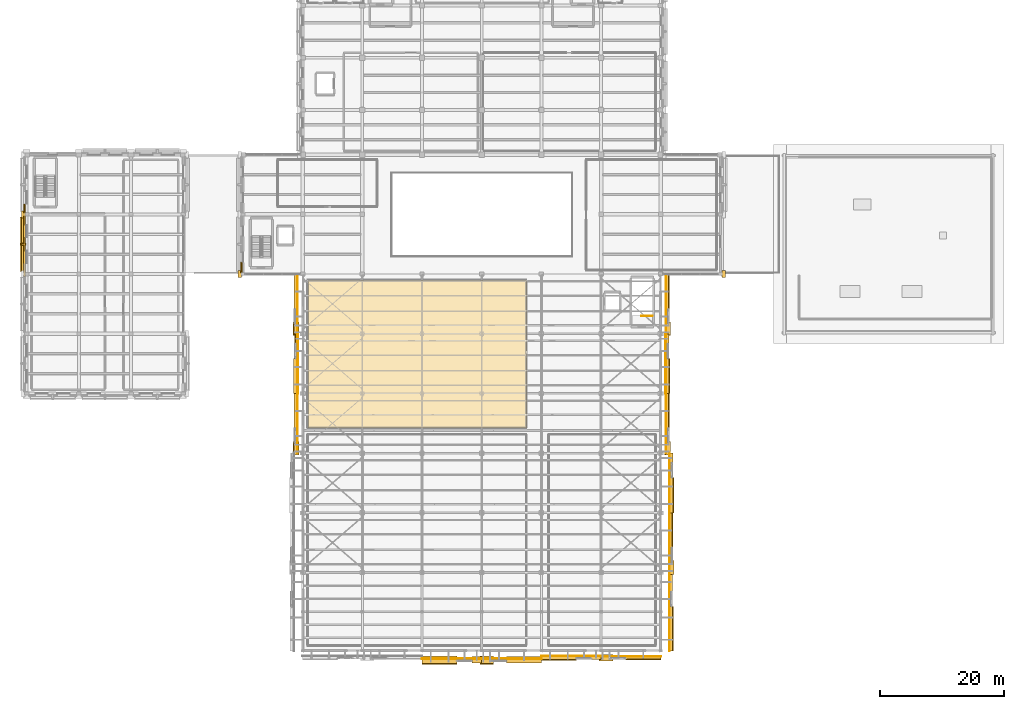
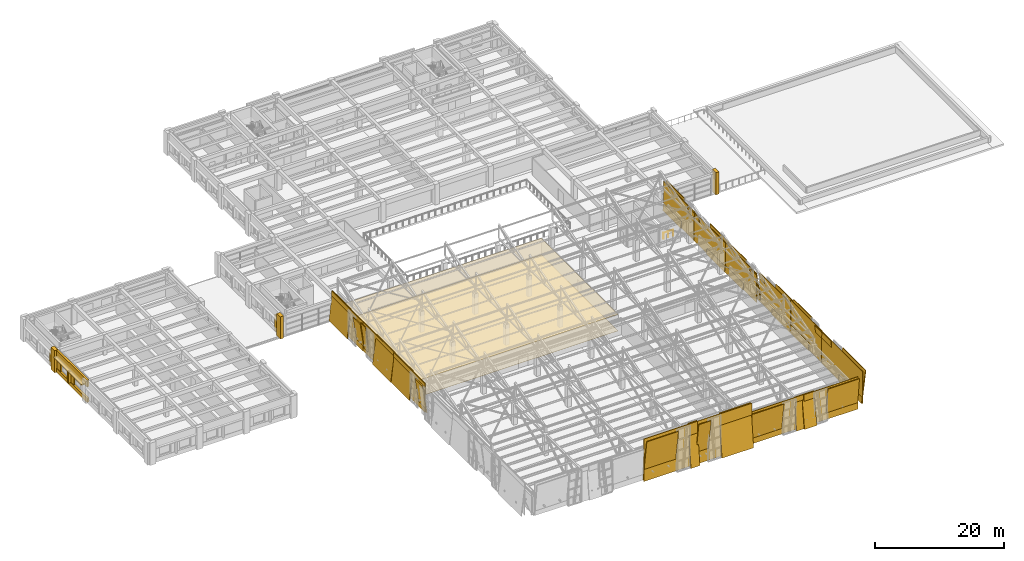
# One storey, part 65 of 71: 52 coverings, 1 railing, 1 shading device.
"""IFC4 building model written with IfcOpenShell, lengths in metres."""

from ifc_helpers import new_model, si_unit, direction, frame, origin, origin_2d, place, context, subcontext, project, spatial, polyline, rectangle, circle, outline, extrude, material, layer, layer_set, type_object, element, save


model = new_model("IFC4")

# Units and contexts
model_context = context("Model", 3, precision=1e-05, world=origin(), true_north=direction((0.0, 1.0)))
body_context = subcontext(model_context, "Body", "Model", "MODEL_VIEW")
ifc_project = project(units=[si_unit("LENGTHUNIT", "METRE"), si_unit("AREAUNIT", "SQUARE_METRE"), si_unit("VOLUMEUNIT", "CUBIC_METRE"), si_unit("PLANEANGLEUNIT", "RADIAN"), si_unit("MASSUNIT", "GRAM", prefix="KILO")], contexts=[model_context])

# Site, building, storey
site_placement = place(None, origin())
site = spatial("IfcSite", under=ifc_project, at=site_placement, CompositionType="ELEMENT")
building_placement = place(site_placement, origin())
building = spatial("IfcBuilding", under=site, at=building_placement, Name="Bempovik Park Faculty of Sciences", CompositionType="ELEMENT")
storey_placement = place(building_placement, frame((0.0, 0.0, 14.10009765625)))
storey = spatial("IfcBuildingStorey", under=building, at=storey_placement, Name="L03", CompositionType="ELEMENT", Elevation=14.10009765625)

# Coverings
ifc_material_1 = material(Name="Acoustic mineral ceiling tile")
ifc_layer_1 = layer(ifc_material_1, 0.0400390625)
ifc_layer_set_1 = layer_set([ifc_layer_1], Name="Acoustic mineral ceiling tile")
covering_type_1 = type_object("IfcCoveringType", Name="CE-01 Acoustic Ceiling 40mm", PredefinedType="CEILING", material=ifc_layer_set_1)
covering_1_placement = place(storey_placement, frame((0.0, 0.0, 3.10986328125)))
element("IfcCovering", 1, at=covering_1_placement, inside=storey, type_object=covering_type_1, Name="L03 Interdisciplinary Research Seminar Hall Acoustic Ceiling", PredefinedType="CEILING", context=body_context, shape_type="SweptSolid", body=[
    extrude(outline(polyline([(60.830078125, 43.030029296875), (95.969970703125, 43.030029296875), (95.969970703125, 66.77001953125), (60.830078125, 66.77001953125), (60.830078125, 43.030029296875)])), origin(), (0.0, 0.0, 1.0), 0.0400390625),
])
ifc_material_2 = material(Name="White reconstituted limestone precast C40/50", Category="masonry")
ifc_layer_2 = layer(ifc_material_2, 0.1201171875)
ifc_layer_set_2 = layer_set([ifc_layer_2], Name="White reconstituted limestone precast C40/50")
covering_type_2 = type_object("IfcCoveringType", Name="CL-01 Crystal Limestone Facet 120mm", PredefinedType="CLADDING", material=ifc_layer_set_2)
covering_2_placement = place(storey_placement, frame((118.98046875, 13.5, -0.0400390625), z_axis=(0.0, 0.0, 1.0), x_axis=(1.0, 0.0, 0.0)))
element("IfcCovering", 2, at=covering_2_placement, inside=storey, type_object=covering_type_2, Name="L03 White Crystal Seam Backing 1176-72", PredefinedType="CLADDING", context=body_context, shape_type="SweptSolid", body=[
    extrude(rectangle(XDim=0.10009765625, YDim=12.679931640625, at=origin_2d()), origin(), (0.0, 0.0, 1.0), 6.090087890625),
])
covering_3_placement = place(storey_placement, frame((118.85986328125, 10.7724609375, -0.018798828125), z_axis=(0.118403968307, 0.0, 0.992965508107), x_axis=(0.0, 1.0, 0.0)))
element("IfcCovering", 3, at=covering_3_placement, inside=storey, type_object=covering_type_2, Name="L03 Tilted Crystal Limestone Facet FAC-CRYS-L03-1176-72", PredefinedType="CLADDING", context=body_context, shape_type="SweptSolid", body=[
    extrude(rectangle(XDim=7.14501953125, YDim=0.139892578125, at=origin_2d()), origin(), (0.0, 0.0, 1.0), 6.090087890625),
])
covering_4_placement = place(storey_placement, frame((119.43115234375, 18.25244140625, -0.028076171875), z_axis=(-0.088894296866, 0.0, 0.996041065411), x_axis=(0.0, 1.0, 0.0)))
element("IfcCovering", 4, at=covering_4_placement, inside=storey, type_object=covering_type_2, Name="L03 Counter-Tilted Crystal Facet FAC-CRYS-L03-1176-72-R", PredefinedType="CLADDING", context=body_context, shape_type="SweptSolid", body=[
    extrude(rectangle(XDim=3.094970703125, YDim=0.139892578125, at=origin_2d()), origin(), (0.0, 0.0, 1.0), 6.090087890625),
])
covering_5_placement = place(storey_placement, frame((119.022705078125, 24.60009765625, -0.0400390625), z_axis=(0.0, 0.0, 1.0), x_axis=(1.0, 0.0, 0.0)))
element("IfcCovering", 5, at=covering_5_placement, inside=storey, type_object=covering_type_2, Name="L03 White Crystal Seam Backing 1176-198", PredefinedType="CLADDING", context=body_context, shape_type="SweptSolid", body=[
    extrude(rectangle(XDim=0.10009765625, YDim=9.679931640625, at=origin_2d()), origin(), (0.0, 0.0, 1.0), 6.090087890625),
])
covering_6_placement = place(storey_placement, frame((119.66552734375, 20.597412109375, -0.013427734375), z_axis=(-0.132256390257, 0.0, 0.991215540252), x_axis=(0.0, 1.0, 0.0)))
element("IfcCovering", 6, at=covering_6_placement, inside=storey, type_object=covering_type_2, Name="L03 Tilted Crystal Limestone Facet FAC-CRYS-L03-1176-198", PredefinedType="CLADDING", context=body_context, shape_type="SweptSolid", body=[
    extrude(rectangle(XDim=2.199951171875, YDim=0.139892578125, at=origin_2d()), origin(), (0.0, 0.0, 1.0), 6.090087890625),
])
covering_7_placement = place(storey_placement, frame((118.900146484375, 26.577392578125, -0.025146484375), z_axis=(0.099319749744, 0.0, 0.995055569961), x_axis=(0.0, 1.0, 0.0)))
element("IfcCovering", 7, at=covering_7_placement, inside=storey, type_object=covering_type_2, Name="L03 Counter-Tilted Crystal Facet FAC-CRYS-L03-1176-198-R", PredefinedType="CLADDING", context=body_context, shape_type="SweptSolid", body=[
    extrude(rectangle(XDim=5.64501953125, YDim=0.139892578125, at=origin_2d()), origin(), (0.0, 0.0, 1.0), 6.090087890625),
])
covering_8_placement = place(storey_placement, frame((119.001953125, 34.199951171875, -0.0400390625), z_axis=(0.0, 0.0, 1.0), x_axis=(1.0, 0.0, 0.0)))
element("IfcCovering", 8, at=covering_8_placement, inside=storey, type_object=covering_type_2, Name="L03 White Crystal Seam Backing 1176-294", PredefinedType="CLADDING", context=body_context, shape_type="SweptSolid", body=[
    extrude(rectangle(XDim=0.10009765625, YDim=9.679931640625, at=origin_2d()), origin(), (0.0, 0.0, 1.0), 5.489990234375),
])
covering_9_placement = place(storey_placement, frame((118.85986328125, 32.222412109375, -0.013427734375), z_axis=(0.13917310096, 0.0, 0.990268068742), x_axis=(0.0, 1.0, 0.0)))
element("IfcCovering", 9, at=covering_9_placement, inside=storey, type_object=covering_type_2, Name="L03 Tilted Crystal Limestone Facet FAC-CRYS-L03-1176-294", PredefinedType="CLADDING", context=body_context, shape_type="SweptSolid", body=[
    extrude(rectangle(XDim=5.64501953125, YDim=0.139892578125, at=origin_2d()), origin(), (0.0, 0.0, 1.0), 5.489990234375),
])
covering_10_placement = place(storey_placement, frame((119.46875, 38.202392578125, -0.025146484375), z_axis=(-0.104528463268, 0.0, 0.994521895368), x_axis=(0.0, 1.0, 0.0)))
element("IfcCovering", 10, at=covering_10_placement, inside=storey, type_object=covering_type_2, Name="L03 Counter-Tilted Crystal Facet FAC-CRYS-L03-1176-294-R", PredefinedType="CLADDING", context=body_context, shape_type="SweptSolid", body=[
    extrude(rectangle(XDim=1.594970703125, YDim=0.139892578125, at=origin_2d()), origin(), (0.0, 0.0, 1.0), 5.489990234375),
])
covering_11_placement = place(storey_placement, frame((118.431396484375, 43.800048828125, -0.0400390625), z_axis=(0.0, 0.0, 1.0), x_axis=(1.0, 0.0, 0.0)))
element("IfcCovering", 11, at=covering_11_placement, inside=storey, type_object=covering_type_2, Name="L03 White Crystal Seam Backing 1176-390", PredefinedType="CLADDING", context=body_context, shape_type="SweptSolid", body=[
    extrude(rectangle(XDim=0.10009765625, YDim=9.679931640625, at=origin_2d()), origin(), (0.0, 0.0, 1.0), 5.489990234375),
])
covering_12_placement = place(storey_placement, frame((119.06298828125, 39.797607421875, -0.01220703125), z_axis=(-0.142628933706, 0.0, 0.989776230908), x_axis=(0.0, 1.0, 0.0)))
element("IfcCovering", 12, at=covering_12_placement, inside=storey, type_object=covering_type_2, Name="L03 Tilted Crystal Limestone Facet FAC-CRYS-L03-1176-390", PredefinedType="CLADDING", context=body_context, shape_type="SweptSolid", body=[
    extrude(rectangle(XDim=2.199951171875, YDim=0.139892578125, at=origin_2d()), origin(), (0.0, 0.0, 1.0), 5.489990234375),
])
covering_13_placement = place(storey_placement, frame((118.3173828125, 45.777587890625, -0.0244140625), z_axis=(0.107131754314, 0.0, 0.994244832633), x_axis=(0.0, 1.0, 0.0)))
element("IfcCovering", 13, at=covering_13_placement, inside=storey, type_object=covering_type_2, Name="L03 Counter-Tilted Crystal Facet FAC-CRYS-L03-1176-390-R", PredefinedType="CLADDING", context=body_context, shape_type="SweptSolid", body=[
    extrude(rectangle(XDim=5.64501953125, YDim=0.139892578125, at=origin_2d()), origin(), (0.0, 0.0, 1.0), 5.489990234375),
])
covering_14_placement = place(storey_placement, frame((118.3935546875, 53.39990234375, -0.0400390625), z_axis=(0.0, 0.0, 1.0), x_axis=(1.0, 0.0, 0.0)))
element("IfcCovering", 14, at=covering_14_placement, inside=storey, type_object=covering_type_2, Name="L03 White Crystal Seam Backing 1176-486", PredefinedType="CLADDING", context=body_context, shape_type="SweptSolid", body=[
    extrude(rectangle(XDim=0.10009765625, YDim=9.679931640625, at=origin_2d()), origin(), (0.0, 0.0, 1.0), 5.489990234375),
])
covering_15_placement = place(storey_placement, frame((118.280029296875, 51.422607421875, -0.017333984375), z_axis=(0.128795596578, 0.0, 0.991671162383), x_axis=(0.0, 1.0, 0.0)))
element("IfcCovering", 15, at=covering_15_placement, inside=storey, type_object=covering_type_2, Name="L03 Tilted Crystal Limestone Facet FAC-CRYS-L03-1176-486", PredefinedType="CLADDING", context=body_context, shape_type="SweptSolid", body=[
    extrude(rectangle(XDim=5.64501953125, YDim=0.139892578125, at=origin_2d()), origin(), (0.0, 0.0, 1.0), 5.489990234375),
])
covering_16_placement = place(storey_placement, frame((118.8388671875, 57.402587890625, -0.02734375), z_axis=(-0.096714362966, 0.0, 0.995312178161), x_axis=(0.0, 1.0, 0.0)))
element("IfcCovering", 16, at=covering_16_placement, inside=storey, type_object=covering_type_2, Name="L03 Counter-Tilted Crystal Facet FAC-CRYS-L03-1176-486-R", PredefinedType="CLADDING", context=body_context, shape_type="SweptSolid", body=[
    extrude(rectangle(XDim=1.594970703125, YDim=0.139892578125, at=origin_2d()), origin(), (0.0, 0.0, 1.0), 5.489990234375),
])
covering_17_placement = place(storey_placement, frame((118.44091796875, 63.0, -0.0400390625), z_axis=(0.0, 0.0, 1.0), x_axis=(1.0, 0.0, 0.0)))
element("IfcCovering", 17, at=covering_17_placement, inside=storey, type_object=covering_type_2, Name="L03 White Crystal Seam Backing 1176-582", PredefinedType="CLADDING", context=body_context, shape_type="SweptSolid", body=[
    extrude(rectangle(XDim=0.10009765625, YDim=9.679931640625, at=origin_2d()), origin(), (0.0, 0.0, 1.0), 5.489990234375),
])
covering_18_placement = place(storey_placement, frame((119.081787109375, 58.99755859375, -0.0107421875), z_axis=(-0.146083028562, 0.0, 0.989272332963), x_axis=(0.0, 1.0, 0.0)))
element("IfcCovering", 18, at=covering_18_placement, inside=storey, type_object=covering_type_2, Name="L03 Tilted Crystal Limestone Facet FAC-CRYS-L03-1176-582", PredefinedType="CLADDING", context=body_context, shape_type="SweptSolid", body=[
    extrude(rectangle(XDim=2.199951171875, YDim=0.139892578125, at=origin_2d()), origin(), (0.0, 0.0, 1.0), 5.489990234375),
])
covering_19_placement = place(storey_placement, frame((118.31982421875, 64.9775390625, -0.023681640625), z_axis=(0.109734311091, 0.0, 0.993960955455), x_axis=(0.0, 1.0, 0.0)))
element("IfcCovering", 19, at=covering_19_placement, inside=storey, type_object=covering_type_2, Name="L03 Counter-Tilted Crystal Facet FAC-CRYS-L03-1176-582-R", PredefinedType="CLADDING", context=body_context, shape_type="SweptSolid", body=[
    extrude(rectangle(XDim=5.64501953125, YDim=0.139892578125, at=origin_2d()), origin(), (0.0, 0.0, 1.0), 5.489990234375),
])
covering_20_placement = place(storey_placement, frame((84.0, 5.9326171875, -0.0400390625), z_axis=(0.0, 0.0, 1.0), x_axis=(1.0, 0.0, 0.0)))
element("IfcCovering", 20, at=covering_20_placement, inside=storey, type_object=covering_type_2, Name="L03 White Crystal Seam Backing 72-792", PredefinedType="CLADDING", context=body_context, shape_type="SweptSolid", body=[
    extrude(rectangle(XDim=9.679931640625, YDim=0.10009765625, at=origin_2d()), origin(), (0.0, 0.0, 1.0), 8.0400390625),
])
covering_21_placement = place(storey_placement, frame((82.0224609375, 6.27978515625, 0.003173828125), z_axis=(0.0, -0.146083028562, 0.989272332963), x_axis=(1.0, 0.0, 0.0)))
element("IfcCovering", 21, at=covering_21_placement, inside=storey, type_object=covering_type_2, Name="L03 Tilted Crystal Limestone Facet FAC-CRYS-L03-72-792", PredefinedType="CLADDING", context=body_context, shape_type="SweptSolid", body=[
    extrude(rectangle(XDim=5.64501953125, YDim=0.139892578125, at=origin_2d()), origin(), (0.0, 0.0, 1.0), 8.0400390625),
])
covering_22_placement = place(storey_placement, frame((88.00244140625, 5.3115234375, -0.015869140625), z_axis=(0.0, 0.109734311091, 0.993960955455), x_axis=(1.0, 0.0, 0.0)))
element("IfcCovering", 22, at=covering_22_placement, inside=storey, type_object=covering_type_2, Name="L03 Counter-Tilted Crystal Facet FAC-CRYS-L03-72-792-R", PredefinedType="CLADDING", context=body_context, shape_type="SweptSolid", body=[
    extrude(rectangle(XDim=1.594970703125, YDim=0.139892578125, at=origin_2d()), origin(), (0.0, 0.0, 1.0), 8.0400390625),
])
covering_23_placement = place(storey_placement, frame((93.60009765625, 5.9326171875, -0.0400390625), z_axis=(0.0, 0.0, 1.0), x_axis=(1.0, 0.0, 0.0)))
element("IfcCovering", 23, at=covering_23_placement, inside=storey, type_object=covering_type_2, Name="L03 White Crystal Seam Backing 72-888", PredefinedType="CLADDING", context=body_context, shape_type="SweptSolid", body=[
    extrude(rectangle(XDim=9.679931640625, YDim=0.10009765625, at=origin_2d()), origin(), (0.0, 0.0, 1.0), 8.0400390625),
])
covering_24_placement = place(storey_placement, frame((89.597412109375, 6.27978515625, 0.003173828125), z_axis=(0.0, -0.146083028562, 0.989272332963), x_axis=(1.0, 0.0, 0.0)))
element("IfcCovering", 24, at=covering_24_placement, inside=storey, type_object=covering_type_2, Name="L03 Tilted Crystal Limestone Facet FAC-CRYS-L03-72-888", PredefinedType="CLADDING", context=body_context, shape_type="SweptSolid", body=[
    extrude(rectangle(XDim=2.199951171875, YDim=0.139892578125, at=origin_2d()), origin(), (0.0, 0.0, 1.0), 8.0400390625),
])
covering_25_placement = place(storey_placement, frame((95.577392578125, 5.3115234375, -0.015869140625), z_axis=(0.0, 0.109734311091, 0.993960955455), x_axis=(1.0, 0.0, 0.0)))
element("IfcCovering", 25, at=covering_25_placement, inside=storey, type_object=covering_type_2, Name="L03 Counter-Tilted Crystal Facet FAC-CRYS-L03-72-888-R", PredefinedType="CLADDING", context=body_context, shape_type="SweptSolid", body=[
    extrude(rectangle(XDim=5.64501953125, YDim=0.139892578125, at=origin_2d()), origin(), (0.0, 0.0, 1.0), 8.0400390625),
])
covering_26_placement = place(storey_placement, frame((103.199951171875, 6.367919921875, -0.0400390625), z_axis=(0.0, 0.0, 1.0), x_axis=(1.0, 0.0, 0.0)))
element("IfcCovering", 26, at=covering_26_placement, inside=storey, type_object=covering_type_2, Name="L03 White Crystal Seam Backing 72-984", PredefinedType="CLADDING", context=body_context, shape_type="SweptSolid", body=[
    extrude(rectangle(XDim=9.679931640625, YDim=0.10009765625, at=origin_2d()), origin(), (0.0, 0.0, 1.0), 6.090087890625),
])
covering_27_placement = place(storey_placement, frame((101.222412109375, 6.519775390625, -0.014892578125), z_axis=(0.0, -0.128795596578, 0.991671162383), x_axis=(1.0, 0.0, 0.0)))
element("IfcCovering", 27, at=covering_27_placement, inside=storey, type_object=covering_type_2, Name="L03 Tilted Crystal Limestone Facet FAC-CRYS-L03-72-984", PredefinedType="CLADDING", context=body_context, shape_type="SweptSolid", body=[
    extrude(rectangle(XDim=5.64501953125, YDim=0.139892578125, at=origin_2d()), origin(), (0.0, 0.0, 1.0), 6.090087890625),
])
covering_28_placement = place(storey_placement, frame((107.202392578125, 5.893310546875, -0.02587890625), z_axis=(0.0, 0.096714362966, 0.995312178161), x_axis=(1.0, 0.0, 0.0)))
element("IfcCovering", 28, at=covering_28_placement, inside=storey, type_object=covering_type_2, Name="L03 Counter-Tilted Crystal Facet FAC-CRYS-L03-72-984-R", PredefinedType="CLADDING", context=body_context, shape_type="SweptSolid", body=[
    extrude(rectangle(XDim=1.594970703125, YDim=0.139892578125, at=origin_2d()), origin(), (0.0, 0.0, 1.0), 6.090087890625),
])
covering_29_placement = place(storey_placement, frame((112.800048828125, 6.315185546875, -0.0400390625), z_axis=(0.0, 0.0, 1.0), x_axis=(1.0, 0.0, 0.0)))
element("IfcCovering", 29, at=covering_29_placement, inside=storey, type_object=covering_type_2, Name="L03 White Crystal Seam Backing 72-1080", PredefinedType="CLADDING", context=body_context, shape_type="SweptSolid", body=[
    extrude(rectangle(XDim=9.679931640625, YDim=0.10009765625, at=origin_2d()), origin(), (0.0, 0.0, 1.0), 6.090087890625),
])
covering_30_placement = place(storey_placement, frame((108.797607421875, 5.63037109375, -0.007568359375), z_axis=(0.0, 0.146083028562, 0.989272332963), x_axis=(1.0, 0.0, 0.0)))
element("IfcCovering", 30, at=covering_30_placement, inside=storey, type_object=covering_type_2, Name="L03 Tilted Crystal Limestone Facet FAC-CRYS-L03-72-1080", PredefinedType="CLADDING", context=body_context, shape_type="SweptSolid", body=[
    extrude(rectangle(XDim=2.199951171875, YDim=0.139892578125, at=origin_2d()), origin(), (0.0, 0.0, 1.0), 6.090087890625),
])
covering_31_placement = place(storey_placement, frame((114.777587890625, 6.469482421875, -0.021728515625), z_axis=(0.0, -0.109734311091, 0.993960955455), x_axis=(1.0, 0.0, 0.0)))
element("IfcCovering", 31, at=covering_31_placement, inside=storey, type_object=covering_type_2, Name="L03 Counter-Tilted Crystal Facet FAC-CRYS-L03-72-1080-R", PredefinedType="CLADDING", context=body_context, shape_type="SweptSolid", body=[
    extrude(rectangle(XDim=5.64501953125, YDim=0.139892578125, at=origin_2d()), origin(), (0.0, 0.0, 1.0), 6.090087890625),
])
covering_32_placement = place(storey_placement, frame((59.16845703125, 43.800048828125, -0.0400390625), z_axis=(0.0, 0.0, 1.0), x_axis=(1.0, 0.0, 0.0)))
element("IfcCovering", 32, at=covering_32_placement, inside=storey, type_object=covering_type_2, Name="L03 White Crystal Seam Backing 600-390", PredefinedType="CLADDING", context=body_context, shape_type="SweptSolid", body=[
    extrude(rectangle(XDim=0.10009765625, YDim=9.679931640625, at=origin_2d()), origin(), (0.0, 0.0, 1.0), 5.489990234375),
])
covering_33_placement = place(storey_placement, frame((59.320068359375, 39.797607421875, -0.01220703125), z_axis=(-0.142628933706, 0.0, 0.989776230908), x_axis=(0.0, 1.0, 0.0)))
element("IfcCovering", 33, at=covering_33_placement, inside=storey, type_object=covering_type_2, Name="L03 Tilted Crystal Limestone Facet FAC-CRYS-L03-600-390", PredefinedType="CLADDING", context=body_context, shape_type="SweptSolid", body=[
    extrude(rectangle(XDim=2.199951171875, YDim=0.139892578125, at=origin_2d()), origin(), (0.0, 0.0, 1.0), 5.489990234375),
])
covering_34_placement = place(storey_placement, frame((58.6943359375, 45.777587890625, -0.0244140625), z_axis=(0.107131754314, 0.0, 0.994244832633), x_axis=(0.0, 1.0, 0.0)))
element("IfcCovering", 34, at=covering_34_placement, inside=storey, type_object=covering_type_2, Name="L03 Counter-Tilted Crystal Facet FAC-CRYS-L03-600-390-R", PredefinedType="CLADDING", context=body_context, shape_type="SweptSolid", body=[
    extrude(rectangle(XDim=5.64501953125, YDim=0.139892578125, at=origin_2d()), origin(), (0.0, 0.0, 1.0), 5.489990234375),
])
covering_35_placement = place(storey_placement, frame((59.20654296875, 53.39990234375, -0.0400390625), z_axis=(0.0, 0.0, 1.0), x_axis=(1.0, 0.0, 0.0)))
element("IfcCovering", 35, at=covering_35_placement, inside=storey, type_object=covering_type_2, Name="L03 White Crystal Seam Backing 600-486", PredefinedType="CLADDING", context=body_context, shape_type="SweptSolid", body=[
    extrude(rectangle(XDim=0.10009765625, YDim=9.679931640625, at=origin_2d()), origin(), (0.0, 0.0, 1.0), 5.489990234375),
])
covering_36_placement = place(storey_placement, frame((58.613037109375, 51.422607421875, -0.017333984375), z_axis=(0.128795596578, 0.0, 0.991671162383), x_axis=(0.0, 1.0, 0.0)))
element("IfcCovering", 36, at=covering_36_placement, inside=storey, type_object=covering_type_2, Name="L03 Tilted Crystal Limestone Facet FAC-CRYS-L03-600-486", PredefinedType="CLADDING", context=body_context, shape_type="SweptSolid", body=[
    extrude(rectangle(XDim=5.64501953125, YDim=0.139892578125, at=origin_2d()), origin(), (0.0, 0.0, 1.0), 5.489990234375),
])
covering_37_placement = place(storey_placement, frame((59.2919921875, 57.402587890625, -0.02734375), z_axis=(-0.096714362966, 0.0, 0.995312178161), x_axis=(0.0, 1.0, 0.0)))
element("IfcCovering", 37, at=covering_37_placement, inside=storey, type_object=covering_type_2, Name="L03 Counter-Tilted Crystal Facet FAC-CRYS-L03-600-486-R", PredefinedType="CLADDING", context=body_context, shape_type="SweptSolid", body=[
    extrude(rectangle(XDim=1.594970703125, YDim=0.139892578125, at=origin_2d()), origin(), (0.0, 0.0, 1.0), 5.489990234375),
])
covering_38_placement = place(storey_placement, frame((59.158935546875, 63.0, -0.0400390625), z_axis=(0.0, 0.0, 1.0), x_axis=(1.0, 0.0, 0.0)))
element("IfcCovering", 38, at=covering_38_placement, inside=storey, type_object=covering_type_2, Name="L03 White Crystal Seam Backing 600-582", PredefinedType="CLADDING", context=body_context, shape_type="SweptSolid", body=[
    extrude(rectangle(XDim=0.10009765625, YDim=9.679931640625, at=origin_2d()), origin(), (0.0, 0.0, 1.0), 5.489990234375),
])
covering_39_placement = place(storey_placement, frame((59.31982421875, 58.99755859375, -0.0107421875), z_axis=(-0.146083028562, 0.0, 0.989272332963), x_axis=(0.0, 1.0, 0.0)))
element("IfcCovering", 39, at=covering_39_placement, inside=storey, type_object=covering_type_2, Name="L03 Tilted Crystal Limestone Facet FAC-CRYS-L03-600-582", PredefinedType="CLADDING", context=body_context, shape_type="SweptSolid", body=[
    extrude(rectangle(XDim=2.199951171875, YDim=0.139892578125, at=origin_2d()), origin(), (0.0, 0.0, 1.0), 5.489990234375),
])
covering_40_placement = place(storey_placement, frame((58.677734375, 64.9775390625, -0.023681640625), z_axis=(0.109734311091, 0.0, 0.993960955455), x_axis=(0.0, 1.0, 0.0)))
element("IfcCovering", 40, at=covering_40_placement, inside=storey, type_object=covering_type_2, Name="L03 Counter-Tilted Crystal Facet FAC-CRYS-L03-600-582-R", PredefinedType="CLADDING", context=body_context, shape_type="SweptSolid", body=[
    extrude(rectangle(XDim=5.64501953125, YDim=0.139892578125, at=origin_2d()), origin(), (0.0, 0.0, 1.0), 5.489990234375),
])
ifc_material_3 = material(Name="Precast concrete C40/50", Category="concrete")
ifc_layer_3 = layer(ifc_material_3, 0.179931640625)
ifc_layer_set_3 = layer_set([ifc_layer_3], Name="Precast concrete C40/50")
covering_type_3 = type_object("IfcCoveringType", Name="CL-02 Classical Cornice Band 180mm", PredefinedType="CLADDING", material=ifc_layer_set_3)
covering_41_placement = place(storey_placement, frame((15.0, 72.60009765625, 2.85986328125), z_axis=(0.0, 0.0, 1.0), x_axis=(1.0, 0.0, 0.0)))
element("IfcCovering", 41, at=covering_41_placement, inside=storey, type_object=covering_type_3, Name="L03 Classical Stone Solar Window Hood EW-L03-9279", PredefinedType="CLADDING", context=body_context, shape_type="SweptSolid", body=[
    extrude(rectangle(XDim=0.919921875, YDim=8.7060546875, at=origin_2d()), origin(), (0.0, 0.0, 1.0), 0.219970703125),
])
ifc_layer_4 = layer(ifc_material_2, 0.239990234375)
ifc_layer_set_4 = layer_set([ifc_layer_4], Name="White reconstituted limestone precast C40/50")
covering_type_4 = type_object("IfcCoveringType", Name="CL-03 Classical Fluted Limestone Pilaster 240mm", PredefinedType="CLADDING", material=ifc_layer_set_4)
covering_42_placement = place(storey_placement, frame((49.8701171875, 67.800048828125, 0.0), z_axis=(0.0, 0.0, 1.0), x_axis=(1.0, 0.0, 0.0)))
element("IfcCovering", 42, at=covering_42_placement, inside=storey, type_object=covering_type_4, Name="L03 Classical Fluted Stone Pilaster PIL-BA-L03-499-678", PredefinedType="CLADDING", context=body_context, shape_type="SweptSolid", body=[
    extrude(rectangle(XDim=0.580078125, YDim=1.10009765625, at=origin_2d()), origin(), (0.0, 0.0, 1.0), 4.199951171875),
])
covering_43_placement = place(storey_placement, frame((50.1298828125, 68.885009765625, -0.000244140625), z_axis=(0.0, 0.0, 1.0), x_axis=(1.0, 0.0, 0.0)))
element("IfcCovering", 43, at=covering_43_placement, inside=storey, type_object=covering_type_4, Name="L03 White Limestone Wall Cheek EW-L03-8411-0", PredefinedType="CLADDING", context=body_context, shape_type="SweptSolid", body=[
    extrude(rectangle(XDim=0.239990234375, YDim=1.666015625, at=origin_2d()), origin(), (0.0, 0.0, 1.0), 3.080078125),
])
covering_44_placement = place(storey_placement, frame((127.72998046875, 67.800048828125, 0.0), z_axis=(0.0, 0.0, 1.0), x_axis=(1.0, 0.0, 0.0)))
element("IfcCovering", 44, at=covering_44_placement, inside=storey, type_object=covering_type_4, Name="L03 Classical Fluted Stone Pilaster PIL-BA-L03-1277-678", PredefinedType="CLADDING", context=body_context, shape_type="SweptSolid", body=[
    extrude(rectangle(XDim=0.580078125, YDim=1.10009765625, at=origin_2d()), origin(), (0.0, 0.0, 1.0), 4.199951171875),
])
covering_45_placement = place(storey_placement, frame((15.2900390625, 72.60009765625, 2.919921875), z_axis=(0.0, 0.0, 1.0), x_axis=(1.0, 0.0, 0.0)))
element("IfcCovering", 45, at=covering_45_placement, inside=storey, type_object=covering_type_4, Name="L03 Classical Limestone Spandrel Entablature EW-L03-9279", PredefinedType="CLADDING", context=body_context, shape_type="SweptSolid", body=[
    extrude(rectangle(XDim=0.340087890625, YDim=10.406005859375, at=origin_2d()), origin(), (0.0, 0.0, 1.0), 1.280029296875),
])
covering_46_placement = place(storey_placement, frame((15.2900390625, 72.60009765625, 0.0), z_axis=(0.0, 0.0, 1.0), x_axis=(1.0, 0.0, 0.0)))
element("IfcCovering", 46, at=covering_46_placement, inside=storey, type_object=covering_type_4, Name="L03 Classical Limestone Sill Dado EW-L03-9279", PredefinedType="CLADDING", context=body_context, shape_type="SweptSolid", body=[
    extrude(rectangle(XDim=0.340087890625, YDim=10.406005859375, at=origin_2d()), origin(), (0.0, 0.0, 1.0), 0.780029296875),
])
covering_47_placement = place(storey_placement, frame((15.070068359375, 77.39990234375, 0.0), z_axis=(0.0, 0.0, 1.0), x_axis=(1.0, 0.0, 0.0)))
element("IfcCovering", 47, at=covering_47_placement, inside=storey, type_object=covering_type_4, Name="L03 Classical Fluted Stone Pilaster PIL-BA-L03-151-774", PredefinedType="CLADDING", context=body_context, shape_type="SweptSolid", body=[
    extrude(rectangle(XDim=0.580078125, YDim=1.10009765625, at=origin_2d()), origin(), (0.0, 0.0, 1.0), 4.199951171875),
])
covering_48_placement = place(storey_placement, frame((15.300048828125, 72.60009765625, -0.000244140625), z_axis=(0.0, 0.0, 1.0), x_axis=(1.0, 0.0, 0.0)))
element("IfcCovering", 48, at=covering_48_placement, inside=storey, type_object=covering_type_4, Name="L03 White Limestone Wall Cheek EW-L03-9279-2", PredefinedType="CLADDING", context=body_context, shape_type="SweptSolid", body=[
    extrude(rectangle(XDim=0.239990234375, YDim=2.085693359375, at=origin_2d()), origin(), (0.0, 0.0, 1.0), 3.080078125),
])
covering_49_placement = place(storey_placement, frame((15.300048828125, 76.42529296875, -0.000244140625), z_axis=(0.0, 0.0, 1.0), x_axis=(1.0, 0.0, 0.0)))
element("IfcCovering", 49, at=covering_49_placement, inside=storey, type_object=covering_type_4, Name="L03 White Limestone Wall Cheek EW-L03-9279-4", PredefinedType="CLADDING", context=body_context, shape_type="SweptSolid", body=[
    extrude(rectangle(XDim=0.239990234375, YDim=1.405029296875, at=origin_2d()), origin(), (0.0, 0.0, 1.0), 3.080078125),
])
covering_50_placement = place(storey_placement, frame((15.090087890625, 72.60009765625, 0.69970703125), z_axis=(0.0, 0.0, 1.0), x_axis=(1.0, 0.0, 0.0)))
element("IfcCovering", 50, at=covering_50_placement, inside=storey, type_object=covering_type_4, Name="L03 Classical Vertical Stone Shading Fin EW-L03-9279", PredefinedType="CLADDING", context=body_context, shape_type="SweptSolid", body=[
    extrude(rectangle(XDim=0.719970703125, YDim=0.280029296875, at=origin_2d()), origin(), (0.0, 0.0, 1.0), 2.199951171875),
])
covering_51_placement = place(storey_placement, frame((15.300048828125, 78.36376953125, -0.000244140625), z_axis=(0.0, 0.0, 1.0), x_axis=(1.0, 0.0, 0.0)))
element("IfcCovering", 51, at=covering_51_placement, inside=storey, type_object=covering_type_4, Name="L03 White Limestone Wall Cheek EW-L03-9291-0", PredefinedType="CLADDING", context=body_context, shape_type="SweptSolid", body=[
    extrude(rectangle(XDim=0.239990234375, YDim=1.383544921875, at=origin_2d()), origin(), (0.0, 0.0, 1.0), 3.080078125),
])
ifc_material_4 = material(Name="Polished mineral terrazzo flooring")
ifc_layer_5 = layer(ifc_material_4, 0.030029296875)
ifc_layer_set_5 = layer_set([ifc_layer_5], Name="Polished mineral terrazzo flooring")
covering_type_5 = type_object("IfcCoveringType", Name="FL-01 Terrazzo Flooring 30mm", PredefinedType="FLOORING", material=ifc_layer_set_5)
covering_52_placement = place(storey_placement, origin())
element("IfcCovering", 52, at=covering_52_placement, inside=storey, type_object=covering_type_5, Name="L03 Interdisciplinary Research Seminar Hall Terrazzo Flooring", PredefinedType="FLOORING", context=body_context, shape_type="SweptSolid", body=[
    extrude(outline(polyline([(60.830078125, 43.030029296875), (95.969970703125, 43.030029296875), (95.969970703125, 66.77001953125), (60.830078125, 66.77001953125), (60.830078125, 43.030029296875)])), origin(), (0.0, 0.0, 1.0), 0.02978515625),
])

# Railing
ifc_material_5 = material(Name="Anodised architectural bronze")
railing_type = type_object("IfcRailingType", Name="GR-01 Guardrail 1120mm", PredefinedType="GUARDRAIL", material=ifc_material_5)
railing_placement = place(storey_placement, frame((116.25, 61.074951171875, 0.0)))
element("IfcRailing", 53, at=railing_placement, inside=storey, type_object=railing_type, Name="L03 ST-5 Top Well Guard 1", PredefinedType="GUARDRAIL", context=body_context, shape_type="SweptSolid", body=[
    extrude(circle(Radius=0.02392578125, at=origin_2d()), frame((0.0, 0.0, 1.09619140625), z_axis=(-1.0, 0.0, 0.0), x_axis=(0.0, -1.0, 0.0)), (0.0, 0.0, 1.0), 1.75),
    extrude(circle(Radius=0.02099609375, at=origin_2d()), origin(), (0.0, 0.0, 1.0), 1.072021484375),
    extrude(circle(Radius=0.02099609375, at=origin_2d()), frame((-0.875, 0.0, 0.0)), (0.0, 0.0, 1.0), 1.072021484375),
    extrude(circle(Radius=0.02099609375, at=origin_2d()), frame((-1.75, 0.0, 0.0)), (0.0, 0.0, 1.0), 1.072021484375),
])

# Shading device
ifc_layer_6 = layer(ifc_material_5, 0.06005859375)
ifc_layer_set_6 = layer_set([ifc_layer_6], Name="Anodised architectural bronze")
shading_device_type = type_object("IfcShadingDeviceType", Name="SH-01 Bronze Brise-Soleil Fin", PredefinedType="USERDEFINED", material=ifc_layer_set_6)
shading_device_placement = place(storey_placement, frame((15.1201171875, 72.60009765625, 2.7998046875), z_axis=(0.0, 0.0, 1.0), x_axis=(1.0, 0.0, 0.0)))
element("IfcShadingDevice", 54, at=shading_device_placement, inside=storey, type_object=shading_device_type, Name="L03 Equatorial Bronze Brise-Soleil EW-L03-9279", ObjectType="BRISE SOLEIL", PredefinedType="USERDEFINED", context=body_context, shape_type="SweptSolid", body=[
    extrude(rectangle(XDim=0.64990234375, YDim=8.555908203125, at=origin_2d()), origin(), (0.0, 0.0, 1.0), 0.06005859375),
])

save(model, "model.ifc")
